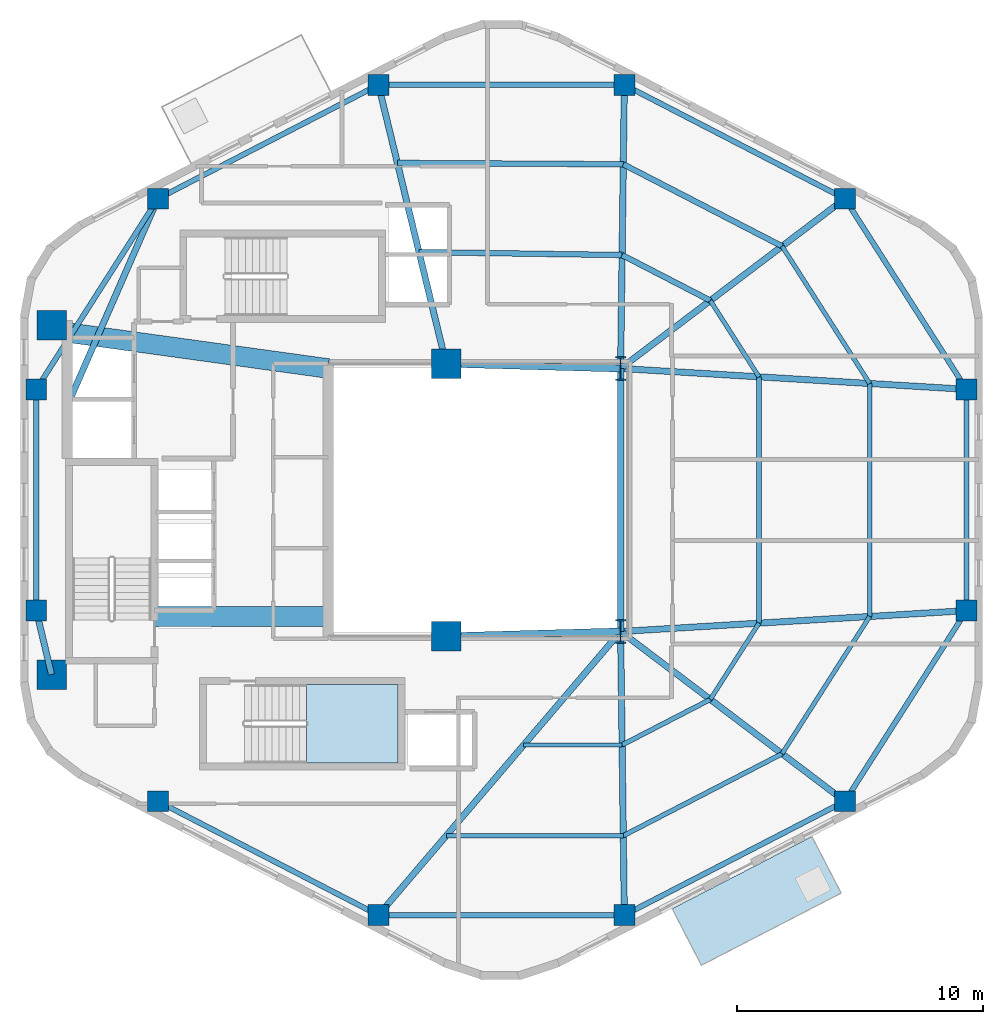
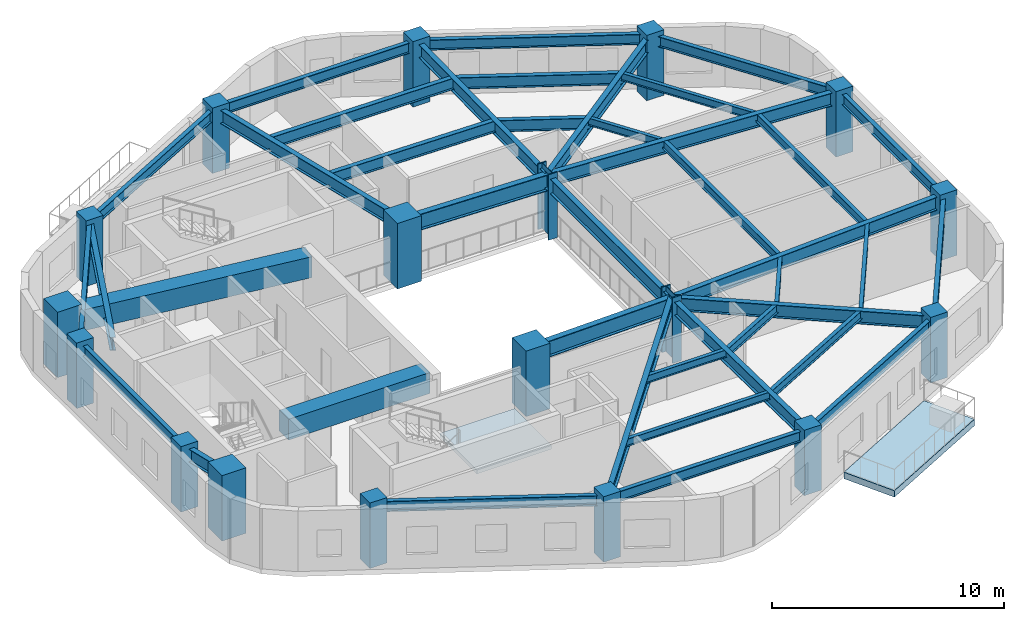
# One storey, part 1 of 8: 40 beams, 18 columns, 2 slabs, 1 element without a shape of its own.
"""IFC4 building model written with IfcOpenShell, lengths in metres."""

from ifc_helpers import new_model, si_unit, direction, frame, origin, origin_2d, place, context, subcontext, project, spatial, polyline, rectangle, i_section, outline, extrude, material, layer, layer_set, material_profile, profile_set, type_object, element, aggregate, save


model = new_model("IFC4")

# Units and contexts
model_context = context("Model", 3, precision=1e-05, world=origin(), true_north=direction((0.0, 1.0)))
body_context = subcontext(model_context, "Body", "Model", "MODEL_VIEW")
ifc_project = project(units=[si_unit("LENGTHUNIT", "METRE"), si_unit("AREAUNIT", "SQUARE_METRE"), si_unit("VOLUMEUNIT", "CUBIC_METRE"), si_unit("PLANEANGLEUNIT", "RADIAN"), si_unit("MASSUNIT", "GRAM", prefix="KILO"), si_unit("THERMODYNAMICTEMPERATUREUNIT", "KELVIN"), si_unit("POWERUNIT", "WATT")], contexts=[model_context])

# Site, building, storey
site_placement = place(None, origin())
site = spatial("IfcSite", under=ifc_project, at=site_placement, CompositionType="ELEMENT")
building_placement = place(site_placement, origin())
building = spatial("IfcBuilding", under=site, at=building_placement, Name="Skarre Station Tower", CompositionType="ELEMENT")
storey_placement = place(building_placement, frame((0.0, 0.0, 203.35009765625)))
storey = spatial("IfcBuildingStorey", under=building, at=storey_placement, Name="L55", CompositionType="ELEMENT", Elevation=203.35009765625)

# Columns
ifc_material_1 = material(Name="Concrete C60/75", Category="concrete")
ifc_material_profile_1 = material_profile(ifc_material_1, rectangle(XDim=1.199951171875, YDim=1.199951171875, at=origin_2d()), Name="Concrete C60/75")
ifc_profile_set_1 = profile_set([ifc_material_profile_1], Name="Concrete C60/75")
column_type_1 = type_object("IfcColumnType", Name="RC Structural Column RC-COL-1200X1200", PredefinedType="COLUMN", material=ifc_profile_set_1)
for number, where, z_axis, x_axis, name in (
    (1, (16.300048828125, 16.89990234375, 0.0), (0.0, 0.0, 1.0), (1.0, 0.0, 0.0), "L55 Core Column CC-SW"),
    (2, (16.300048828125, 31.10009765625, 0.0), (0.0, 0.0, 1.0), (1.0, 0.0, 0.0), "L55 Core Column CC-NW"),
    (3, (32.35009765625, 18.449951171875, 0.0), (0.0, 0.0, 1.0), (1.0, 0.0, 0.0), "L55 Core Column CC-SE"),
    (4, (32.35009765625, 29.550048828125, 0.0), (0.0, 0.0, 1.0), (1.0, 0.0, 0.0), "L55 Core Column CC-NE"),
):
    element("IfcColumn", number, at=place(storey_placement, frame(where, z_axis=z_axis, x_axis=x_axis)), inside=storey, type_object=column_type_1, Name=name, PredefinedType="COLUMN", context=body_context, shape_type="SweptSolid", body=[
        extrude(rectangle(XDim=1.199951171875, YDim=1.199951171875, at=origin_2d()), origin(), (0.0, 0.0, 1.0), 3.449951171875),
    ])
ifc_material_2 = material(Name="Concrete C50/60", Category="concrete")
ifc_material_profile_2 = material_profile(ifc_material_2, rectangle(XDim=0.85009765625, YDim=0.85009765625, at=origin_2d()), Name="Concrete C50/60")
ifc_profile_set_2 = profile_set([ifc_material_profile_2], Name="Concrete C50/60")
column_type_2 = type_object("IfcColumnType", Name="RC Structural Column RC-COL-850X850", PredefinedType="COLUMN", material=ifc_profile_set_2)
for number, where, z_axis, x_axis, name in (
    (5, (48.573974609375, 36.257080078125, 0.0), (0.0, 0.0, 1.0), (1.0, 0.0, 0.0), "L55 Zone 3 Perimeter Column F0C1"),
    (6, (39.60205078125, 40.887939453125, 0.0), (0.0, 0.0, 1.0), (1.0, 0.0, 0.0), "L55 Zone 3 Perimeter Column F0C2"),
    (7, (29.597900390625, 40.887939453125, 0.0), (0.0, 0.0, 1.0), (1.0, 0.0, 0.0), "L55 Zone 3 Perimeter Column F1C1"),
    (8, (20.6259765625, 36.257080078125, 0.0), (0.0, 0.0, 1.0), (1.0, 0.0, 0.0), "L55 Zone 3 Perimeter Column F1C2"),
    (9, (15.677978515625, 28.5009765625, 0.0), (0.0, 0.0, 1.0), (1.0, 0.0, 0.0), "L55 Zone 3 Perimeter Column F2C1"),
    (10, (15.677978515625, 19.4990234375, 0.0), (0.0, 0.0, 1.0), (1.0, 0.0, 0.0), "L55 Zone 3 Perimeter Column F2C2"),
    (11, (20.6259765625, 11.742919921875, 0.0), (0.0, 0.0, 1.0), (1.0, 0.0, 0.0), "L55 Zone 3 Perimeter Column F3C1"),
    (12, (29.597900390625, 7.112060546875, 0.0), (0.0, 0.0, 1.0), (1.0, 0.0, 0.0), "L55 Zone 3 Perimeter Column F3C2"),
    (13, (39.60205078125, 7.112060546875, 0.0), (0.0, 0.0, 1.0), (1.0, 0.0, 0.0), "L55 Zone 3 Perimeter Column F4C1"),
    (14, (48.573974609375, 11.742919921875, 0.0), (0.0, 0.0, 1.0), (1.0, 0.0, 0.0), "L55 Zone 3 Perimeter Column F4C2"),
    (15, (53.52197265625, 19.4990234375, 0.0), (0.0, 0.0, 1.0), (1.0, 0.0, 0.0), "L55 Zone 3 Perimeter Column F5C1"),
    (16, (53.52197265625, 28.5009765625, 0.0), (0.0, 0.0, 1.0), (1.0, 0.0, 0.0), "L55 Zone 3 Perimeter Column F5C2"),
):
    element("IfcColumn", number, at=place(storey_placement, frame(where, z_axis=z_axis, x_axis=x_axis)), inside=storey, type_object=column_type_2, Name=name, PredefinedType="COLUMN", context=body_context, shape_type="SweptSolid", body=[
        extrude(rectangle(XDim=0.85009765625, YDim=0.85009765625, at=origin_2d()), origin(), (0.0, 0.0, 1.0), 3.449951171875),
    ])
ifc_material_3 = material(Name="Steel ASTM A913 Grade 65", Category="steel")
ifc_material_profile_3 = material_profile(ifc_material_3, i_section(OverallWidth=0.430908203125, OverallDepth=0.987060546875, WebThickness=0.033935546875, FlangeThickness=0.06201171875, at=origin_2d()), Name="Steel ASTM A913 Grade 65")
ifc_profile_set_3 = profile_set([ifc_material_profile_3], Name="Steel ASTM A913 Grade 65")
column_type_3 = type_object("IfcColumnType", Name="Steel Column W36X441", PredefinedType="COLUMN", material=ifc_profile_set_3)
for number, where, z_axis, x_axis, name in (
    (17, (39.449951171875, 18.64990234375, 0.0), (0.0, 0.0, 1.0), (1.0, 0.0, 0.0), "L55 Atrium Spine Column AC-SE"),
    (18, (39.449951171875, 29.35009765625, 0.0), (0.0, 0.0, 1.0), (1.0, 0.0, 0.0), "L55 Atrium Spine Column AC-NE"),
):
    element("IfcColumn", number, at=place(storey_placement, frame(where, z_axis=z_axis, x_axis=x_axis)), inside=storey, type_object=column_type_3, Name=name, PredefinedType="COLUMN", context=body_context, shape_type="SweptSolid", body=[
        extrude(i_section(OverallWidth=0.430908203125, OverallDepth=0.987060546875, WebThickness=0.033935546875, FlangeThickness=0.06201171875, at=origin_2d()), origin(), (0.0, 0.0, 1.0), 3.449951171875),
    ])

# Beams
ifc_material_4 = material(Name="Concrete C70/85", Category="concrete")
ifc_material_profile_4 = material_profile(ifc_material_4, rectangle(XDim=0.800048828125, YDim=1.10009765625, at=origin_2d()), Name="Concrete C70/85")
ifc_profile_set_4 = profile_set([ifc_material_profile_4], Name="Concrete C70/85")
beam_type_1 = type_object("IfcBeamType", Name="RC Core Coupling Lintel 800x1100", PredefinedType="LINTEL", material=ifc_profile_set_4)
beam_1_placement = place(storey_placement, frame((20.489990234375, 19.260009765625, 2.639892578125), z_axis=(1.0, 0.0, 0.0), x_axis=(0.0, 1.0, 0.0)))
element("IfcBeam", 19, at=beam_1_placement, inside=storey, type_object=beam_type_1, Name="L55 South Core Coupling Lintel", PredefinedType="LINTEL", context=body_context, shape_type="SweptSolid", body=[
    extrude(rectangle(XDim=0.800048828125, YDim=1.10009765625, at=origin_2d()), origin(), (0.0, 0.0, 1.0), 7.06005859375),
])
beam_2_placement = place(storey_placement, frame((17.050048828125, 30.800048828125, 2.639892578125), z_axis=(0.990599723633, -0.136792498109, 0.0), x_axis=(0.136792498109, 0.990599723633, 0.0)))
element("IfcBeam", 20, at=beam_2_placement, inside=storey, type_object=beam_type_1, Name="L55 North Core Coupling Lintel", PredefinedType="LINTEL", context=body_context, shape_type="SweptSolid", body=[
    extrude(rectangle(XDim=0.800048828125, YDim=1.10009765625, at=origin_2d()), origin(), (0.0, 0.0, 1.0), 10.599609375),
])
ifc_material_5 = material(Name="Steel ASTM A992 Grade 50", Category="steel")
ifc_material_profile_5 = material_profile(ifc_material_5, i_section(OverallWidth=0.256103515625, OverallDepth=0.693115234375, WebThickness=0.013916015625, FlangeThickness=0.02392578125, at=origin_2d()), Name="Steel ASTM A992 Grade 50")
ifc_profile_set_5 = profile_set([ifc_material_profile_5], Name="Steel ASTM A992 Grade 50")
beam_type_2 = type_object("IfcBeamType", Name="Steel Beam W27X114", PredefinedType="BEAM", material=ifc_profile_set_5)
beam_3_placement = place(storey_placement, frame((39.449951171875, 29.35009765625, 2.843994140625), z_axis=(0.797308988117, 0.603571352425, 0.0), x_axis=(-0.603571352425, 0.797308988117, 0.0)))
element("IfcBeam", 21, at=beam_3_placement, inside=storey, type_object=beam_type_2, Name="L55 Radial Floor Girder F0C1", PredefinedType="BEAM", context=body_context, shape_type="SweptSolid", body=[
    extrude(i_section(OverallWidth=0.256103515625, OverallDepth=0.693115234375, WebThickness=0.013916015625, FlangeThickness=0.02392578125, at=origin_2d()), origin(), (0.0, 0.0, 1.0), 11.443603515625),
])
beam_4_placement = place(storey_placement, frame((39.449951171875, 29.35009765625, 2.843994140625), z_axis=(0.013181528887, 0.999913119874, 0.0), x_axis=(-0.999913119874, 0.013181528887, 0.0)))
element("IfcBeam", 22, at=beam_4_placement, inside=storey, type_object=beam_type_2, Name="L55 Radial Floor Girder F0C2", PredefinedType="BEAM", context=body_context, shape_type="SweptSolid", body=[
    extrude(i_section(OverallWidth=0.256103515625, OverallDepth=0.693115234375, WebThickness=0.013916015625, FlangeThickness=0.02392578125, at=origin_2d()), origin(), (0.0, 0.0, 1.0), 11.538818359375),
])
beam_5_placement = place(storey_placement, frame((32.35009765625, 29.550048828125, 2.843994140625), z_axis=(-0.235892880832, 0.971779063765, 0.0), x_axis=(-0.971779063765, -0.235892880832, 0.0)))
element("IfcBeam", 23, at=beam_5_placement, inside=storey, type_object=beam_type_2, Name="L55 Radial Floor Girder F1C1", PredefinedType="BEAM", context=body_context, shape_type="SweptSolid", body=[
    extrude(i_section(OverallWidth=0.256103515625, OverallDepth=0.693115234375, WebThickness=0.013916015625, FlangeThickness=0.02392578125, at=origin_2d()), origin(), (0.0, 0.0, 1.0), 11.667236328125),
])
beam_6_placement = place(storey_placement, frame((17.010009765625, 28.0, 2.843994140625), z_axis=(0.401144174417, 0.916014929644, 0.0), x_axis=(-0.916014929644, 0.401144174417, 0.0)))
element("IfcBeam", 24, at=beam_6_placement, inside=storey, type_object=beam_type_2, Name="L55 Radial Floor Girder F1C2", PredefinedType="BEAM", context=body_context, shape_type="SweptSolid", body=[
    extrude(i_section(OverallWidth=0.256103515625, OverallDepth=0.693115234375, WebThickness=0.013916015625, FlangeThickness=0.02392578125, at=origin_2d()), origin(), (0.0, 0.0, 1.0), 9.01416015625),
])
beam_7_placement = place(storey_placement, frame((16.300048828125, 16.89990234375, 2.843994140625), z_axis=(-0.232764815072, 0.972533053867, 0.0), x_axis=(-0.972533053867, -0.232764815072, 0.0)))
element("IfcBeam", 25, at=beam_7_placement, inside=storey, type_object=beam_type_2, Name="L55 Radial Floor Girder F2C2", PredefinedType="BEAM", context=body_context, shape_type="SweptSolid", body=[
    extrude(i_section(OverallWidth=0.256103515625, OverallDepth=0.693115234375, WebThickness=0.013916015625, FlangeThickness=0.02392578125, at=origin_2d()), origin(), (0.0, 0.0, 1.0), 2.672607421875),
])
beam_8_placement = place(storey_placement, frame((39.449951171875, 18.64990234375, 2.843994140625), z_axis=(-0.649364312169, -0.760477475065, 0.0), x_axis=(0.760477475065, -0.649364312169, 0.0)))
element("IfcBeam", 26, at=beam_8_placement, inside=storey, type_object=beam_type_2, Name="L55 Radial Floor Girder F3C2", PredefinedType="BEAM", context=body_context, shape_type="SweptSolid", body=[
    extrude(i_section(OverallWidth=0.256103515625, OverallDepth=0.693115234375, WebThickness=0.013916015625, FlangeThickness=0.02392578125, at=origin_2d()), origin(), (0.0, 0.0, 1.0), 15.171875),
])
beam_9_placement = place(storey_placement, frame((39.449951171875, 18.64990234375, 2.843994140625), z_axis=(0.013181528887, -0.999913119874, 0.0), x_axis=(0.999913119874, 0.013181528887, 0.0)))
element("IfcBeam", 27, at=beam_9_placement, inside=storey, type_object=beam_type_2, Name="L55 Radial Floor Girder F4C1", PredefinedType="BEAM", context=body_context, shape_type="SweptSolid", body=[
    extrude(i_section(OverallWidth=0.256103515625, OverallDepth=0.693115234375, WebThickness=0.013916015625, FlangeThickness=0.02392578125, at=origin_2d()), origin(), (0.0, 0.0, 1.0), 11.538818359375),
])
beam_10_placement = place(storey_placement, frame((39.449951171875, 18.64990234375, 2.843994140625), z_axis=(0.797308988117, -0.603571352425, 0.0), x_axis=(0.603571352425, 0.797308988117, 0.0)))
element("IfcBeam", 28, at=beam_10_placement, inside=storey, type_object=beam_type_2, Name="L55 Radial Floor Girder F4C2", PredefinedType="BEAM", context=body_context, shape_type="SweptSolid", body=[
    extrude(i_section(OverallWidth=0.256103515625, OverallDepth=0.693115234375, WebThickness=0.013916015625, FlangeThickness=0.02392578125, at=origin_2d()), origin(), (0.0, 0.0, 1.0), 11.443603515625),
])
for number, where, z_axis, x_axis, name in (
    (29, (39.449951171875, 18.64990234375, 2.843994140625), (0.998184432941, 0.060231535207, 0.0), (-0.060231535207, 0.998184432941, 0.0), "L55 Radial Floor Girder F5C1"),
    (30, (39.449951171875, 29.35009765625, 2.843994140625), (0.998184432941, -0.060231535207, 0.0), (0.060231535207, 0.998184432941, 0.0), "L55 Radial Floor Girder F5C2"),
):
    element("IfcBeam", number, at=place(storey_placement, frame(where, z_axis=z_axis, x_axis=x_axis)), inside=storey, type_object=beam_type_2, Name=name, PredefinedType="BEAM", context=body_context, shape_type="SweptSolid", body=[
        extrude(i_section(OverallWidth=0.256103515625, OverallDepth=0.693115234375, WebThickness=0.013916015625, FlangeThickness=0.02392578125, at=origin_2d()), origin(), (0.0, 0.0, 1.0), 14.09765625),
    ])
ifc_material_profile_6 = material_profile(ifc_material_5, i_section(OverallWidth=0.26806640625, OverallDepth=0.77001953125, WebThickness=0.01611328125, FlangeThickness=0.02490234375, at=origin_2d()), Name="Steel ASTM A992 Grade 50")
ifc_profile_set_6 = profile_set([ifc_material_profile_6], Name="Steel ASTM A992 Grade 50")
beam_type_3 = type_object("IfcBeamType", Name="Steel Beam W30X132", PredefinedType="BEAM", material=ifc_profile_set_6)
beam_11_placement = place(storey_placement, frame((39.449951171875, 18.64990234375, 2.804931640625), z_axis=(0.0, 1.0, 0.0), x_axis=(-1.0, 0.0, 0.0)))
element("IfcBeam", 31, at=beam_11_placement, inside=storey, type_object=beam_type_3, Name="L55 Atrium East Edge Girder", PredefinedType="BEAM", context=body_context, shape_type="SweptSolid", body=[
    extrude(i_section(OverallWidth=0.26806640625, OverallDepth=0.77001953125, WebThickness=0.01611328125, FlangeThickness=0.02490234375, at=origin_2d()), origin(), (0.0, 0.0, 1.0), 10.7001953125),
])
ifc_material_profile_7 = material_profile(ifc_material_5, i_section(OverallWidth=0.2919921875, OverallDepth=0.85888671875, WebThickness=0.01708984375, FlangeThickness=0.031005859375, at=origin_2d()), Name="Steel ASTM A992 Grade 50")
ifc_profile_set_7 = profile_set([ifc_material_profile_7], Name="Steel ASTM A992 Grade 50")
beam_type_4 = type_object("IfcBeamType", Name="Steel Beam W33X169", PredefinedType="BEAM", material=ifc_profile_set_7)
for number, where, z_axis, x_axis, name in (
    (32, (32.35009765625, 18.449951171875, 2.760986328125), (0.999603666405, 0.028151556095, 0.0), (-0.028151556095, 0.999603666405, 0.0), "L55 Atrium South Edge Girder"),
    (33, (32.35009765625, 29.550048828125, 2.760986328125), (0.999603666405, -0.028151556095, 0.0), (0.028151556095, 0.999603666405, 0.0), "L55 Atrium North Edge Girder"),
):
    element("IfcBeam", number, at=place(storey_placement, frame(where, z_axis=z_axis, x_axis=x_axis)), inside=storey, type_object=beam_type_4, Name=name, PredefinedType="BEAM", context=body_context, shape_type="SweptSolid", body=[
        extrude(i_section(OverallWidth=0.2919921875, OverallDepth=0.85888671875, WebThickness=0.01708984375, FlangeThickness=0.031005859375, at=origin_2d()), origin(), (0.0, 0.0, 1.0), 7.102783203125),
    ])
ifc_material_profile_8 = material_profile(ifc_material_5, i_section(OverallWidth=0.177978515625, OverallDepth=0.403076171875, WebThickness=0.008056640625, FlangeThickness=0.010986328125, at=origin_2d()), Name="Steel ASTM A992 Grade 50")
ifc_profile_set_8 = profile_set([ifc_material_profile_8], Name="Steel ASTM A992 Grade 50")
beam_type_5 = type_object("IfcBeamType", Name="Steel Joist W16X36", PredefinedType="JOIST", material=ifc_profile_set_8)
beam_12_placement = place(storey_placement, frame((35.509033203125, 14.034912109375, 2.98779296875), z_axis=(1.0, 0.0, 0.0), x_axis=(0.0, 1.0, 0.0)))
element("IfcBeam", 34, at=beam_12_placement, inside=storey, type_object=beam_type_5, Name="L55 Auxiliary Composite Joist 7", PredefinedType="JOIST", context=body_context, shape_type="SweptSolid", body=[
    extrude(i_section(OverallWidth=0.177978515625, OverallDepth=0.403076171875, WebThickness=0.008056640625, FlangeThickness=0.010986328125, at=origin_2d()), origin(), (0.0, 0.0, 1.0), 4.001953125),
])
beam_13_placement = place(storey_placement, frame((32.35693359375, 10.343017578125, 2.98779296875), z_axis=(1.0, 0.0, 0.0), x_axis=(0.0, 1.0, 0.0)))
element("IfcBeam", 35, at=beam_13_placement, inside=storey, type_object=beam_type_5, Name="L55 Auxiliary Composite Joist 8", PredefinedType="JOIST", context=body_context, shape_type="SweptSolid", body=[
    extrude(i_section(OverallWidth=0.177978515625, OverallDepth=0.403076171875, WebThickness=0.008056640625, FlangeThickness=0.010986328125, at=origin_2d()), origin(), (0.0, 0.0, 1.0), 7.2021484375),
])
beam_14_placement = place(storey_placement, frame((43.10009765625, 15.886962890625, 2.98779296875), z_axis=(0.537716516977, 0.843125700812, 0.0), x_axis=(-0.843125700812, 0.537716516977, 0.0)))
element("IfcBeam", 36, at=beam_14_placement, inside=storey, type_object=beam_type_5, Name="L55 Auxiliary Composite Joist 11", PredefinedType="JOIST", context=body_context, shape_type="SweptSolid", body=[
    extrude(i_section(OverallWidth=0.177978515625, OverallDepth=0.403076171875, WebThickness=0.008056640625, FlangeThickness=0.010986328125, at=origin_2d()), origin(), (0.0, 0.0, 1.0), 3.680419921875),
])
beam_15_placement = place(storey_placement, frame((46.01904296875, 13.677001953125, 2.98779296875), z_axis=(0.537900605588, 0.843008267165, 0.0), x_axis=(-0.843008267165, 0.537900605588, 0.0)))
element("IfcBeam", 37, at=beam_15_placement, inside=storey, type_object=beam_type_5, Name="L55 Auxiliary Composite Joist 12", PredefinedType="JOIST", context=body_context, shape_type="SweptSolid", body=[
    extrude(i_section(OverallWidth=0.177978515625, OverallDepth=0.403076171875, WebThickness=0.008056640625, FlangeThickness=0.010986328125, at=origin_2d()), origin(), (0.0, 0.0, 1.0), 6.623779296875),
])
beam_16_placement = place(storey_placement, frame((45.0791015625, 29.010009765625, 2.98779296875), z_axis=(-0.537716516977, 0.843125700812, 0.0), x_axis=(-0.843125700812, -0.537716516977, 0.0)))
element("IfcBeam", 38, at=beam_16_placement, inside=storey, type_object=beam_type_5, Name="L55 Auxiliary Composite Joist 15", PredefinedType="JOIST", context=body_context, shape_type="SweptSolid", body=[
    extrude(i_section(OverallWidth=0.177978515625, OverallDepth=0.403076171875, WebThickness=0.008056640625, FlangeThickness=0.010986328125, at=origin_2d()), origin(), (0.0, 0.0, 1.0), 3.680419921875),
])
beam_17_placement = place(storey_placement, frame((49.58203125, 28.739013671875, 2.98779296875), z_axis=(-0.537900605588, 0.843008267165, 0.0), x_axis=(-0.843008267165, -0.537900605588, 0.0)))
element("IfcBeam", 39, at=beam_17_placement, inside=storey, type_object=beam_type_5, Name="L55 Auxiliary Composite Joist 16", PredefinedType="JOIST", context=body_context, shape_type="SweptSolid", body=[
    extrude(i_section(OverallWidth=0.177978515625, OverallDepth=0.403076171875, WebThickness=0.008056640625, FlangeThickness=0.010986328125, at=origin_2d()), origin(), (0.0, 0.0, 1.0), 6.623779296875),
])
ifc_material_profile_9 = material_profile(ifc_material_5, i_section(OverallWidth=0.19091796875, OverallDepth=0.45703125, WebThickness=0.009033203125, FlangeThickness=0.013916015625, at=origin_2d()), Name="Steel ASTM A992 Grade 50")
ifc_profile_set_9 = profile_set([ifc_material_profile_9], Name="Steel ASTM A992 Grade 50")
beam_type_6 = type_object("IfcBeamType", Name="Steel Joist W18X50", PredefinedType="JOIST", material=ifc_profile_set_9)
beam_18_placement = place(storey_placement, frame((39.510986328125, 14.034912109375, 2.9609375), z_axis=(0.888660390105, 0.458565928803, 0.0), x_axis=(-0.458565928803, 0.888660390105, 0.0)))
element("IfcBeam", 40, at=beam_18_placement, inside=storey, type_object=beam_type_6, Name="L55 Auxiliary Composite Joist 9", PredefinedType="JOIST", context=body_context, shape_type="SweptSolid", body=[
    extrude(i_section(OverallWidth=0.19091796875, OverallDepth=0.45703125, WebThickness=0.009033203125, FlangeThickness=0.013916015625, at=origin_2d()), origin(), (0.0, 0.0, 1.0), 4.038818359375),
])
beam_19_placement = place(storey_placement, frame((39.55908203125, 10.343017578125, 2.9609375), z_axis=(0.88863125356, 0.458622388459, 0.0), x_axis=(-0.458622388459, 0.88863125356, 0.0)))
element("IfcBeam", 41, at=beam_19_placement, inside=storey, type_object=beam_type_6, Name="L55 Auxiliary Composite Joist 10", PredefinedType="JOIST", context=body_context, shape_type="SweptSolid", body=[
    extrude(i_section(OverallWidth=0.19091796875, OverallDepth=0.45703125, WebThickness=0.009033203125, FlangeThickness=0.013916015625, at=origin_2d()), origin(), (0.0, 0.0, 1.0), 7.26953125),
])
beam_20_placement = place(storey_placement, frame((45.0791015625, 18.989990234375, 2.9609375), z_axis=(0.0, 1.0, 0.0), x_axis=(-1.0, 0.0, 0.0)))
element("IfcBeam", 42, at=beam_20_placement, inside=storey, type_object=beam_type_6, Name="L55 Auxiliary Composite Joist 13", PredefinedType="JOIST", context=body_context, shape_type="SweptSolid", body=[
    extrude(i_section(OverallWidth=0.19091796875, OverallDepth=0.45703125, WebThickness=0.009033203125, FlangeThickness=0.013916015625, at=origin_2d()), origin(), (0.0, 0.0, 1.0), 10.02001953125),
])
beam_21_placement = place(storey_placement, frame((49.58203125, 19.260986328125, 2.9609375), z_axis=(0.0, 1.0, 0.0), x_axis=(-1.0, 0.0, 0.0)))
element("IfcBeam", 43, at=beam_21_placement, inside=storey, type_object=beam_type_6, Name="L55 Auxiliary Composite Joist 14", PredefinedType="JOIST", context=body_context, shape_type="SweptSolid", body=[
    extrude(i_section(OverallWidth=0.19091796875, OverallDepth=0.45703125, WebThickness=0.009033203125, FlangeThickness=0.013916015625, at=origin_2d()), origin(), (0.0, 0.0, 1.0), 9.47802734375),
])
ifc_material_profile_10 = material_profile(ifc_material_5, i_section(OverallWidth=0.22802734375, OverallDepth=0.60791015625, WebThickness=0.010986328125, FlangeThickness=0.01708984375, at=origin_2d()), Name="Steel ASTM A992 Grade 50")
ifc_profile_set_10 = profile_set([ifc_material_profile_10], Name="Steel ASTM A992 Grade 50")
beam_type_7 = type_object("IfcBeamType", Name="Steel Joist W24X76", PredefinedType="JOIST", material=ifc_profile_set_10)
beam_22_placement = place(storey_placement, frame((43.10009765625, 32.113037109375, 2.885986328125), z_axis=(-0.888660390105, 0.458565928803, 0.0), x_axis=(-0.458565928803, -0.888660390105, 0.0)))
element("IfcBeam", 44, at=beam_22_placement, inside=storey, type_object=beam_type_7, Name="L55 Secondary Floor Joist 1", PredefinedType="JOIST", context=body_context, shape_type="SweptSolid", body=[
    extrude(i_section(OverallWidth=0.22802734375, OverallDepth=0.60791015625, WebThickness=0.010986328125, FlangeThickness=0.01708984375, at=origin_2d()), origin(), (0.0, 0.0, 1.0), 4.038818359375),
])
beam_23_placement = place(storey_placement, frame((46.01904296875, 34.322998046875, 2.885986328125), z_axis=(-0.88863125356, 0.458622388459, 0.0), x_axis=(-0.458622388459, -0.88863125356, 0.0)))
element("IfcBeam", 45, at=beam_23_placement, inside=storey, type_object=beam_type_7, Name="L55 Secondary Floor Joist 2", PredefinedType="JOIST", context=body_context, shape_type="SweptSolid", body=[
    extrude(i_section(OverallWidth=0.22802734375, OverallDepth=0.60791015625, WebThickness=0.010986328125, FlangeThickness=0.01708984375, at=origin_2d()), origin(), (0.0, 0.0, 1.0), 7.26953125),
])
beam_24_placement = place(storey_placement, frame((39.510986328125, 33.965087890625, 2.885986328125), z_axis=(-0.999894760676, 0.014507500591, 0.0), x_axis=(-0.014507500591, -0.999894760676, 0.0)))
element("IfcBeam", 46, at=beam_24_placement, inside=storey, type_object=beam_type_7, Name="L55 Secondary Floor Joist 3", PredefinedType="JOIST", context=body_context, shape_type="SweptSolid", body=[
    extrude(i_section(OverallWidth=0.22802734375, OverallDepth=0.60791015625, WebThickness=0.010986328125, FlangeThickness=0.01708984375, at=origin_2d()), origin(), (0.0, 0.0, 1.0), 8.262939453125),
])
beam_25_placement = place(storey_placement, frame((39.55908203125, 37.656982421875, 2.885986328125), z_axis=(-0.99998149622, 0.006083355807, 0.0), x_axis=(-0.006083355807, -0.99998149622, 0.0)))
element("IfcBeam", 47, at=beam_25_placement, inside=storey, type_object=beam_type_7, Name="L55 Secondary Floor Joist 4", PredefinedType="JOIST", context=body_context, shape_type="SweptSolid", body=[
    extrude(i_section(OverallWidth=0.22802734375, OverallDepth=0.60791015625, WebThickness=0.010986328125, FlangeThickness=0.01708984375, at=origin_2d()), origin(), (0.0, 0.0, 1.0), 9.1904296875),
])
ifc_material_profile_11 = material_profile(ifc_material_5, i_section(OverallWidth=0.214111328125, OverallDepth=0.549072265625, WebThickness=0.014892578125, FlangeThickness=0.02392578125, at=origin_2d()), Name="Steel ASTM A992 Grade 50")
ifc_profile_set_11 = profile_set([ifc_material_profile_11], Name="Steel ASTM A992 Grade 50")
beam_type_8 = type_object("IfcBeamType", Name="Steel Spandrel W21X93", PredefinedType="SPANDREL", material=ifc_profile_set_11)
beam_26_placement = place(storey_placement, frame((48.573974609375, 36.257080078125, 2.916015625), z_axis=(-0.888613027226, 0.458657702262, 0.0), x_axis=(-0.458657702262, -0.888613027226, 0.0)))
element("IfcBeam", 48, at=beam_26_placement, inside=storey, type_object=beam_type_8, Name="L55 Facet Spandrel Beam 1", PredefinedType="SPANDREL", context=body_context, shape_type="SweptSolid", body=[
    extrude(i_section(OverallWidth=0.214111328125, OverallDepth=0.549072265625, WebThickness=0.014892578125, FlangeThickness=0.02392578125, at=origin_2d()), origin(), (0.0, 0.0, 1.0), 10.096435546875),
])
beam_27_placement = place(storey_placement, frame((39.60205078125, 40.887939453125, 2.916015625), z_axis=(-1.0, 0.0, 0.0), x_axis=(0.0, -1.0, 0.0)))
element("IfcBeam", 49, at=beam_27_placement, inside=storey, type_object=beam_type_8, Name="L55 Facet Spandrel Beam 2", PredefinedType="SPANDREL", context=body_context, shape_type="SweptSolid", body=[
    extrude(i_section(OverallWidth=0.214111328125, OverallDepth=0.549072265625, WebThickness=0.014892578125, FlangeThickness=0.02392578125, at=origin_2d()), origin(), (0.0, 0.0, 1.0), 10.004150390625),
])
beam_28_placement = place(storey_placement, frame((29.597900390625, 40.887939453125, 2.916015625), z_axis=(-0.888613027226, -0.458657702262, 0.0), x_axis=(0.458657702262, -0.888613027226, 0.0)))
element("IfcBeam", 50, at=beam_28_placement, inside=storey, type_object=beam_type_8, Name="L55 Facet Spandrel Beam 3", PredefinedType="SPANDREL", context=body_context, shape_type="SweptSolid", body=[
    extrude(i_section(OverallWidth=0.214111328125, OverallDepth=0.549072265625, WebThickness=0.014892578125, FlangeThickness=0.02392578125, at=origin_2d()), origin(), (0.0, 0.0, 1.0), 10.096435546875),
])
beam_29_placement = place(storey_placement, frame((20.6259765625, 36.257080078125, 2.916015625), z_axis=(-0.537826426158, -0.843055594445, 0.0), x_axis=(0.843055594445, -0.537826426158, 0.0)))
element("IfcBeam", 51, at=beam_29_placement, inside=storey, type_object=beam_type_8, Name="L55 Facet Spandrel Beam 4", PredefinedType="SPANDREL", context=body_context, shape_type="SweptSolid", body=[
    extrude(i_section(OverallWidth=0.214111328125, OverallDepth=0.549072265625, WebThickness=0.014892578125, FlangeThickness=0.02392578125, at=origin_2d()), origin(), (0.0, 0.0, 1.0), 9.199951171875),
])
beam_30_placement = place(storey_placement, frame((15.677978515625, 28.5009765625, 2.916015625), z_axis=(0.0, -1.0, 0.0), x_axis=(1.0, 0.0, 0.0)))
element("IfcBeam", 52, at=beam_30_placement, inside=storey, type_object=beam_type_8, Name="L55 Facet Spandrel Beam 5", PredefinedType="SPANDREL", context=body_context, shape_type="SweptSolid", body=[
    extrude(i_section(OverallWidth=0.214111328125, OverallDepth=0.549072265625, WebThickness=0.014892578125, FlangeThickness=0.02392578125, at=origin_2d()), origin(), (0.0, 0.0, 1.0), 9.001953125),
])
beam_31_placement = place(storey_placement, frame((20.6259765625, 11.742919921875, 2.916015625), z_axis=(0.888613027226, -0.458657702262, 0.0), x_axis=(0.458657702262, 0.888613027226, 0.0)))
element("IfcBeam", 53, at=beam_31_placement, inside=storey, type_object=beam_type_8, Name="L55 Facet Spandrel Beam 7", PredefinedType="SPANDREL", context=body_context, shape_type="SweptSolid", body=[
    extrude(i_section(OverallWidth=0.214111328125, OverallDepth=0.549072265625, WebThickness=0.014892578125, FlangeThickness=0.02392578125, at=origin_2d()), origin(), (0.0, 0.0, 1.0), 10.096435546875),
])
beam_32_placement = place(storey_placement, frame((29.597900390625, 7.112060546875, 2.916015625), z_axis=(1.0, 0.0, 0.0), x_axis=(0.0, 1.0, 0.0)))
element("IfcBeam", 54, at=beam_32_placement, inside=storey, type_object=beam_type_8, Name="L55 Facet Spandrel Beam 8", PredefinedType="SPANDREL", context=body_context, shape_type="SweptSolid", body=[
    extrude(i_section(OverallWidth=0.214111328125, OverallDepth=0.549072265625, WebThickness=0.014892578125, FlangeThickness=0.02392578125, at=origin_2d()), origin(), (0.0, 0.0, 1.0), 10.004150390625),
])
beam_33_placement = place(storey_placement, frame((39.60205078125, 7.112060546875, 2.916015625), z_axis=(0.888613027226, 0.458657702262, 0.0), x_axis=(-0.458657702262, 0.888613027226, 0.0)))
element("IfcBeam", 55, at=beam_33_placement, inside=storey, type_object=beam_type_8, Name="L55 Facet Spandrel Beam 9", PredefinedType="SPANDREL", context=body_context, shape_type="SweptSolid", body=[
    extrude(i_section(OverallWidth=0.214111328125, OverallDepth=0.549072265625, WebThickness=0.014892578125, FlangeThickness=0.02392578125, at=origin_2d()), origin(), (0.0, 0.0, 1.0), 10.096435546875),
])
beam_34_placement = place(storey_placement, frame((48.573974609375, 11.742919921875, 2.916015625), z_axis=(0.537826426158, 0.843055594445, 0.0), x_axis=(-0.843055594445, 0.537826426158, 0.0)))
element("IfcBeam", 56, at=beam_34_placement, inside=storey, type_object=beam_type_8, Name="L55 Facet Spandrel Beam 10", PredefinedType="SPANDREL", context=body_context, shape_type="SweptSolid", body=[
    extrude(i_section(OverallWidth=0.214111328125, OverallDepth=0.549072265625, WebThickness=0.014892578125, FlangeThickness=0.02392578125, at=origin_2d()), origin(), (0.0, 0.0, 1.0), 9.199951171875),
])
beam_35_placement = place(storey_placement, frame((53.52197265625, 19.4990234375, 2.916015625), z_axis=(0.0, 1.0, 0.0), x_axis=(-1.0, 0.0, 0.0)))
element("IfcBeam", 57, at=beam_35_placement, inside=storey, type_object=beam_type_8, Name="L55 Facet Spandrel Beam 11", PredefinedType="SPANDREL", context=body_context, shape_type="SweptSolid", body=[
    extrude(i_section(OverallWidth=0.214111328125, OverallDepth=0.549072265625, WebThickness=0.014892578125, FlangeThickness=0.02392578125, at=origin_2d()), origin(), (0.0, 0.0, 1.0), 9.001953125),
])
beam_36_placement = place(storey_placement, frame((53.52197265625, 28.5009765625, 2.916015625), z_axis=(-0.537826426158, 0.843055594445, 0.0), x_axis=(-0.843055594445, -0.537826426158, 0.0)))
element("IfcBeam", 58, at=beam_36_placement, inside=storey, type_object=beam_type_8, Name="L55 Facet Spandrel Beam 12", PredefinedType="SPANDREL", context=body_context, shape_type="SweptSolid", body=[
    extrude(i_section(OverallWidth=0.214111328125, OverallDepth=0.549072265625, WebThickness=0.014892578125, FlangeThickness=0.02392578125, at=origin_2d()), origin(), (0.0, 0.0, 1.0), 9.199951171875),
])

# Slab
ifc_material_6 = material(Name="Precast concrete C50/60", Category="concrete")
ifc_layer_1 = layer(ifc_material_6, 0.340087890625, Name="Precast concrete C50/60")
ifc_layer_set_1 = layer_set([ifc_layer_1], Name="Precast concrete C50/60")
slab_type_1 = type_object("IfcSlabType", Name="Planted Tree-Balcony Cantilever Slab 340", PredefinedType="FLOOR", material=ifc_layer_set_1)
slab_1_placement = place(storey_placement, frame((0.0, 0.0, -0.340087890625)))
element("IfcSlab", 59, at=slab_1_placement, inside=storey, type_object=slab_type_1, Name="L55 Planted Tree-Balcony Deck TB-L55-F4", PredefinedType="FLOOR", context=body_context, shape_type="SweptSolid", body=[
    extrude(outline(polyline([(41.547119140625, 7.373046875), (47.23388671875, 10.30908203125), (48.422119140625, 8.007080078125), (42.735107421875, 5.072021484375), (41.547119140625, 7.373046875)])), origin(), (0.0, 0.0, 1.0), 0.340087890625),
])

# Stair, slab
ifc_material_7 = material(Name="Concrete C40/50", Category="concrete")
stair_type = type_object("IfcStairType", Name="Reinforced Concrete Exit Stair ST-2", PredefinedType="HALF_TURN_STAIR", material=ifc_material_7)
stair_placement = place(storey_placement, origin())
stair = element("IfcStair", 60, at=stair_placement, inside=storey, type_object=stair_type, Name="L55 Core Exit Stair ST-2", PredefinedType="HALF_TURN_STAIR")
ifc_layer_2 = layer(ifc_material_7, 0.219970703125, Name="Concrete C40/50")
ifc_layer_set_2 = layer_set([ifc_layer_2], Name="Concrete C40/50")
slab_type_2 = type_object("IfcSlabType", Name="Reinforced Concrete Stair & Ramp Landing 220", PredefinedType="LANDING", material=ifc_layer_set_2)
slab_2_placement = place(storey_placement, frame((0.0, 0.0, 1.52490234375)))
slab_2 = element("IfcSlab", 61, at=slab_2_placement, type_object=slab_type_2, Name="ST-2 landing 1", PredefinedType="LANDING", context=body_context, shape_type="SweptSolid", body=[
    extrude(outline(polyline([(26.669921875, 13.300048828125), (30.39990234375, 13.300048828125), (30.39990234375, 16.5), (26.669921875, 16.5), (26.669921875, 13.300048828125)])), origin(), (0.0, 0.0, 1.0), 0.199951171875),
])
aggregate(stair, [slab_2])

save(model, "model.ifc")
